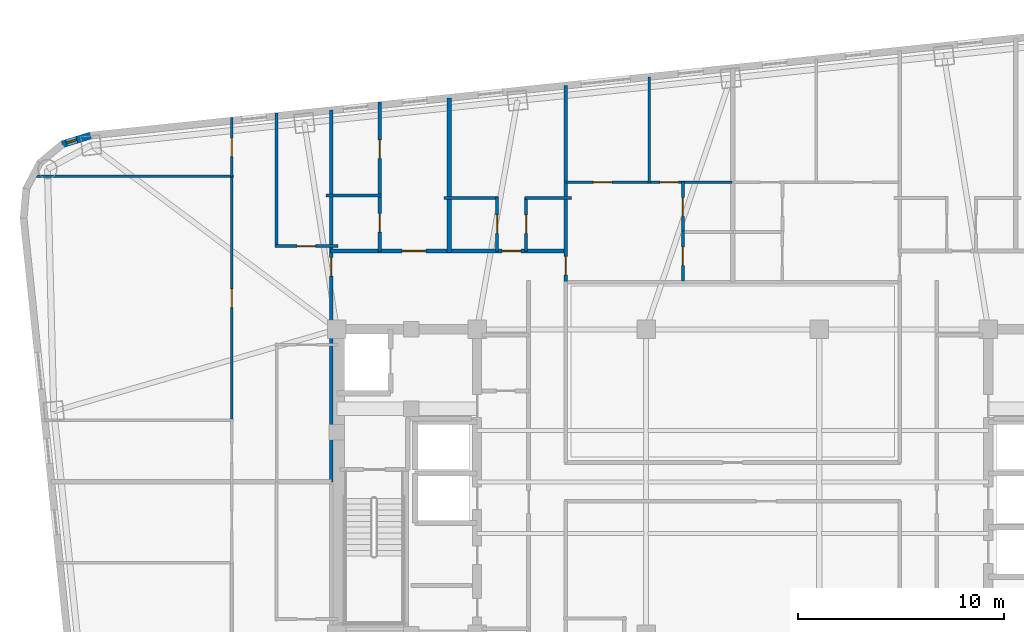
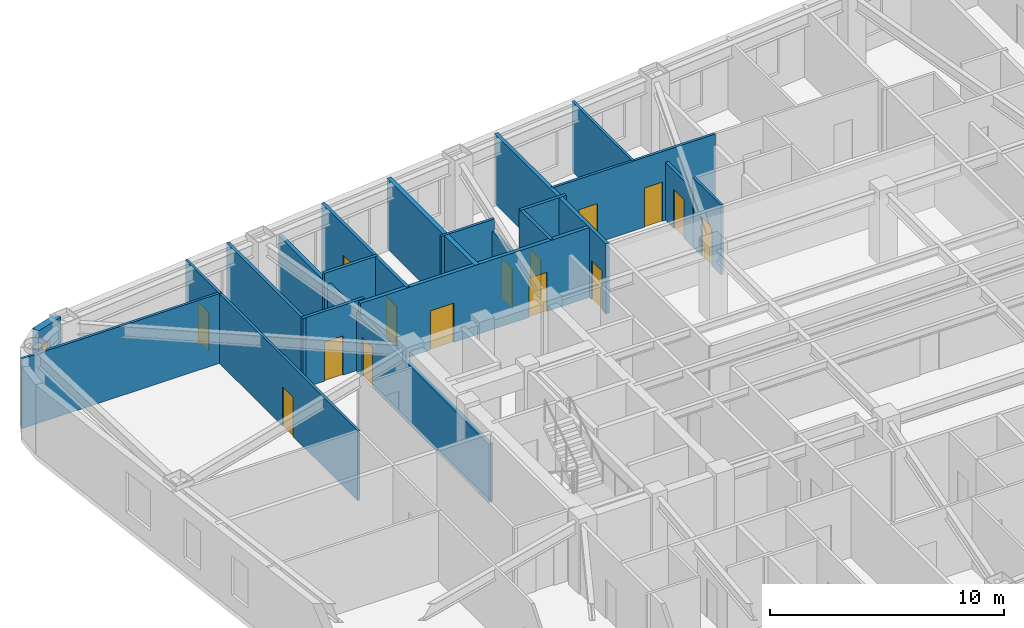
# One storey, part 7 of 11: 21 walls, 15 doors, 1 window, 16 openings.
"""IFC4 building model written with IfcOpenShell, lengths in metres."""

from ifc_helpers import new_model, si_unit, direction, frame, frame_2d, origin, place, context, subcontext, project, spatial, rectangle, extrude, material, layer, layer_set, type_object, element, fill, save


model = new_model("IFC4")

# Units and contexts
model_context = context("Model", 3, precision=1e-05, world=origin(), true_north=direction((0.0, 1.0)))
body_context = subcontext(model_context, "Body", "Model", "MODEL_VIEW")
ifc_project = project(units=[si_unit("LENGTHUNIT", "METRE"), si_unit("AREAUNIT", "SQUARE_METRE"), si_unit("VOLUMEUNIT", "CUBIC_METRE"), si_unit("PLANEANGLEUNIT", "RADIAN"), si_unit("MASSUNIT", "GRAM", prefix="KILO")], contexts=[model_context])

# Site, building, storey
site_placement = place(None, origin())
site = spatial("IfcSite", under=ifc_project, at=site_placement, CompositionType="ELEMENT")
building_placement = place(site_placement, origin())
building = spatial("IfcBuilding", under=site, at=building_placement, Name="Voryun Gate Residences", CompositionType="ELEMENT")
storey_placement = place(building_placement, frame((0.0, 0.0, 183.300048828125)))
storey = spatial("IfcBuildingStorey", under=building, at=storey_placement, Name="L45", CompositionType="ELEMENT", Elevation=183.300048828125)

# Wall, openings, doors
ifc_material_1 = material(Name="Gypsum acoustic fireboard")
ifc_layer_1 = layer(ifc_material_1, 0.179931640625, Name="W_CORR_RATED_180")
ifc_layer_set_1 = layer_set([ifc_layer_1], Name="Gypsum acoustic fireboard")
wall_type_1 = type_object("IfcWallType", Name="W_CORR_RATED_180", PredefinedType="PARTITIONING", material=ifc_layer_set_1)
wall_1_placement = place(storey_placement, frame((-19.5, 11.199951171875, 0.0), z_axis=(0.0, 0.0, 1.0), x_axis=(1.0, 0.0, 0.0)))
wall_1 = element("IfcWall", 1, at=wall_1_placement, inside=storey, type_object=wall_type_1, Name="Partition wall WP-L45-NCORR-W", PredefinedType="PARTITIONING", context=body_context, shape_type="SweptSolid", body=[
    extrude(rectangle(XDim=11.419921875, YDim=0.179931640625, at=frame_2d((5.7099609375, 0.0))), origin(), (0.0, 0.0, 1.0), 3.64990234375),
])
opening_1_placement = place(wall_1_placement, frame((3.46435546875, 0.0, 0.0)))
opening_1 = element("IfcOpeningElement", 2, at=opening_1_placement, cuts=wall_1, Name="Opening D-UNIT-1", PredefinedType="OPENING", context=body_context, shape_type="SweptSolid", body=[
    extrude(rectangle(XDim=1.14990234375, YDim=2.050048828125, at=frame_2d((0.574951171875, 1.02490234375))), frame((0.0, 0.099853515625, 0.0), z_axis=(0.0, -1.0, 0.0), x_axis=(1.0, 0.0, 0.0)), (0.0, 0.0, 1.0), 0.199951171875),
])
opening_2_placement = place(wall_1_placement, frame((8.32275390625, 0.0, 0.0)))
opening_2 = element("IfcOpeningElement", 3, at=opening_2_placement, cuts=wall_1, Name="Opening D-INT-2", PredefinedType="OPENING", context=body_context, shape_type="SweptSolid", body=[
    extrude(rectangle(XDim=0.89990234375, YDim=2.050048828125, at=frame_2d((0.449951171875, 1.02490234375))), frame((0.0, 0.099853515625, 0.0), z_axis=(0.0, -1.0, 0.0), x_axis=(1.0, 0.0, 0.0)), (0.0, 0.0, 1.0), 0.199951171875),
])
ifc_material_2 = material(Name="Architectural oak veneer")
door_type_1 = type_object("IfcDoorType", Name="DR_INT_BATH_900", OperationType="NOTDEFINED", PredefinedType="DOOR", material=ifc_material_2)
door_1_placement = place(opening_2_placement, origin())
door_1 = element("IfcDoor", 4, at=door_1_placement, inside=storey, type_object=door_type_1, Name="Door DR-L45-NENT-2", OperationType="SINGLE_SWING_RIGHT", OverallHeight=2.050048828125, OverallWidth=0.89990234375, PredefinedType="DOOR", context=body_context, shape_type="SweptSolid", body=[
    extrude(rectangle(XDim=0.89990234375, YDim=2.050048828125, at=frame_2d((0.449951171875, 1.02490234375))), frame((0.0, 0.02490234375, 0.0), z_axis=(0.0, -1.0, 0.0), x_axis=(1.0, 0.0, 0.0)), (0.0, 0.0, 1.0), 0.050048828125),
])
fill(opening_2, door_1)
ifc_material_3 = material(Name="Armoured timber-clad fire door", Category="wood")
door_type_2 = type_object("IfcDoorType", Name="DR_UNIT_ENTRY_1150", OperationType="NOTDEFINED", PredefinedType="DOOR", material=ifc_material_3)
door_2_placement = place(opening_1_placement, origin())
door_2 = element("IfcDoor", 5, at=door_2_placement, inside=storey, type_object=door_type_2, Name="Door DR-L45-NENT-1", OperationType="SINGLE_SWING_LEFT", OverallHeight=2.050048828125, OverallWidth=1.14990234375, PredefinedType="DOOR", context=body_context, shape_type="SweptSolid", body=[
    extrude(rectangle(XDim=1.14990234375, YDim=2.050048828125, at=frame_2d((0.574951171875, 1.02490234375))), frame((0.0, 0.02490234375, 0.0), z_axis=(0.0, -1.0, 0.0), x_axis=(1.0, 0.0, 0.0)), (0.0, 0.0, 1.0), 0.050048828125),
])
fill(opening_1, door_2)

# Wall, opening, door
wall_2_placement = place(storey_placement, frame((-8.10009765625, 9.68994140625, 0.0), z_axis=(0.0, 0.0, 1.0), x_axis=(0.0, 1.0, 0.0)))
wall_2 = element("IfcWall", 6, at=wall_2_placement, inside=storey, type_object=wall_type_1, Name="Partition wall WP-L45-NZV-1", PredefinedType="PARTITIONING", context=body_context, shape_type="SweptSolid", body=[
    extrude(rectangle(XDim=9.536376953125, YDim=0.179931640625, at=frame_2d((4.76806640625, 0.0))), origin(), (0.0, 0.0, 1.0), 3.64990234375),
])
opening_3_placement = place(wall_2_placement, frame((0.35009765625, 0.0, 0.0)))
opening_3 = element("IfcOpeningElement", 7, at=opening_3_placement, cuts=wall_2, Name="Opening D-INT-2", PredefinedType="OPENING", context=body_context, shape_type="SweptSolid", body=[
    extrude(rectangle(XDim=0.89990234375, YDim=2.050048828125, at=frame_2d((0.449951171875, 1.02490234375))), frame((0.0, 0.099853515625, 0.0), z_axis=(0.0, -1.0, 0.0), x_axis=(1.0, 0.0, 0.0)), (0.0, 0.0, 1.0), 0.199951171875),
])
door_3_placement = place(opening_3_placement, origin())
door_3 = element("IfcDoor", 8, at=door_3_placement, inside=storey, type_object=door_type_1, Name="Door DR-L45-NZENT-1", OperationType="SINGLE_SWING_LEFT", OverallHeight=2.050048828125, OverallWidth=0.89990234375, PredefinedType="DOOR", context=body_context, shape_type="SweptSolid", body=[
    extrude(rectangle(XDim=0.89990234375, YDim=2.050048828125, at=frame_2d((0.449951171875, 1.02490234375))), frame((0.0, 0.02490234375, 0.0), z_axis=(0.0, -1.0, 0.0), x_axis=(1.0, 0.0, 0.0)), (0.0, 0.0, 1.0), 0.050048828125),
])
fill(opening_3, door_3)

wall_3_placement = place(storey_placement, frame((-19.469970703125, 0.0, 0.0), z_axis=(0.0, 0.0, 1.0), x_axis=(0.0, 1.0, 0.0)))
wall_3 = element("IfcWall", 9, at=wall_3_placement, inside=storey, type_object=wall_type_1, Name="Partition wall WP-L45-WCOR2", PredefinedType="PARTITIONING", context=body_context, shape_type="SweptSolid", body=[
    extrude(rectangle(XDim=18.031494140625, YDim=0.179931640625, at=frame_2d((9.015625, 0.0))), origin(), (0.0, 0.0, 1.0), 3.0400390625),
])
opening_4_placement = place(wall_3_placement, frame((9.9794921875, 0.0, 0.0)))
opening_4 = element("IfcOpeningElement", 10, at=opening_4_placement, cuts=wall_3, Name="Opening D-INT-2", PredefinedType="OPENING", context=body_context, shape_type="SweptSolid", body=[
    extrude(rectangle(XDim=0.89990234375, YDim=2.050048828125, at=frame_2d((0.449951171875, 1.02490234375))), frame((0.0, 0.099853515625, 0.0), z_axis=(0.0, -1.0, 0.0), x_axis=(1.0, 0.0, 0.0)), (0.0, 0.0, 1.0), 0.199951171875),
])
door_4_placement = place(opening_4_placement, origin())
door_4 = element("IfcDoor", 11, at=door_4_placement, inside=storey, type_object=door_type_1, Name="Door DR-L45-WE2", OperationType="SINGLE_SWING_RIGHT", OverallHeight=2.050048828125, OverallWidth=0.89990234375, PredefinedType="DOOR", context=body_context, shape_type="SweptSolid", body=[
    extrude(rectangle(XDim=0.89990234375, YDim=2.050048828125, at=frame_2d((0.449951171875, 1.02490234375))), frame((0.0, 0.02490234375, 0.0), z_axis=(0.0, -1.0, 0.0), x_axis=(1.0, 0.0, 0.0)), (0.0, 0.0, 1.0), 0.050048828125),
])
fill(opening_4, door_4)

# Wall, opening, window
ifc_material_4 = material(Name="Charcoal terracotta masonry", Category="masonry")
ifc_layer_2 = layer(ifc_material_4, 0.340087890625, Name="W_EXT_TERRACOTTA_340")
ifc_layer_set_2 = layer_set([ifc_layer_2], Name="Charcoal terracotta masonry")
wall_type_2 = type_object("IfcWallType", Name="W_EXT_TERRACOTTA_340", PredefinedType="ELEMENTEDWALL", material=ifc_layer_set_2)
wall_4_placement = place(storey_placement, frame((-32.523193359375, 16.37841796875, 0.0), z_axis=(0.0, 0.0, 1.0), x_axis=(0.9549942197, 0.296624409546, 0.0)))
wall_4 = element("IfcWall", 12, at=wall_4_placement, inside=storey, type_object=wall_type_2, Name="Exterior wall WEXT-L45-10", PredefinedType="ELEMENTEDWALL", context=body_context, shape_type="SweptSolid", body=[
    extrude(rectangle(XDim=1.43212890625, YDim=0.340087890625, at=frame_2d((0.716064453125, 0.0))), origin(), (0.0, 0.0, 1.0), 3.64990234375),
])
opening_5_placement = place(wall_4_placement, frame((0.216064453125, 0.0, 0.75)))
opening_5 = element("IfcOpeningElement", 13, at=opening_5_placement, cuts=wall_4, Name="Opening WN10", PredefinedType="OPENING", context=body_context, shape_type="SweptSolid", body=[
    extrude(rectangle(XDim=0.52001953125, YDim=2.050048828125, at=frame_2d((0.260009765625, 1.02490234375))), frame((0.0, 0.179931640625, 0.0), z_axis=(0.0, -1.0, 0.0), x_axis=(1.0, 0.0, 0.0)), (0.0, 0.0, 1.0), 0.360107421875),
])
ifc_material_5 = material(Name="Laminated low-E glass", Category="glass")
window_type = type_object("IfcWindowType", Name="WN_PAGODA_LANCET_520", PartitioningType="SINGLE_PANEL", PredefinedType="WINDOW", material=ifc_material_5)
window_placement = place(opening_5_placement, origin())
window = element("IfcWindow", 14, at=window_placement, inside=storey, type_object=window_type, Name="Window WN-L45-DWFIX-24", OverallHeight=2.050048828125, OverallWidth=0.52001953125, PartitioningType="SINGLE_PANEL", PredefinedType="WINDOW", context=body_context, shape_type="SweptSolid", body=[
    extrude(rectangle(XDim=0.52001953125, YDim=2.050048828125, at=frame_2d((0.260009765625, 1.02490234375))), frame((0.0, 0.030029296875, 0.0), z_axis=(0.0, -1.0, 0.0), x_axis=(1.0, 0.0, 0.0)), (0.0, 0.0, 1.0), 0.06005859375),
])
fill(opening_5, window)

# Wall
ifc_material_6 = material(Name="Concrete C40/50", Category="concrete")
ifc_layer_3 = layer(ifc_material_6, 0.219970703125, Name="W_PARTY_ACOUSTIC_220")
ifc_layer_set_3 = layer_set([ifc_layer_3], Name="Concrete C40/50")
wall_type_3 = type_object("IfcWallType", Name="W_PARTY_ACOUSTIC_220", PredefinedType="PARTITIONING", material=ifc_layer_set_3)
wall_5_placement = place(storey_placement, frame((-13.739990234375, 11.1201171875, 0.0), z_axis=(0.0, 0.0, 1.0), x_axis=(0.0, 1.0, 0.0)))
element("IfcWall", 15, at=wall_5_placement, inside=storey, type_object=wall_type_3, Name="Partition wall WP-L45-NPTY-1", PredefinedType="PARTITIONING", context=body_context, shape_type="SweptSolid", body=[
    extrude(rectangle(XDim=7.513427734375, YDim=0.219970703125, at=frame_2d((3.7568359375, 0.0))), origin(), (0.0, 0.0, 1.0), 3.64990234375),
])

# Wall, opening, door
ifc_material_7 = material(Name="Gypsum acoustic partition")
ifc_layer_4 = layer(ifc_material_7, 0.125, Name="W_UNIT_PART_125")
ifc_layer_set_4 = layer_set([ifc_layer_4], Name="Gypsum acoustic partition")
wall_type_4 = type_object("IfcWallType", Name="W_UNIT_PART_125", PredefinedType="PARTITIONING", material=ifc_layer_set_4)
wall_6_placement = place(storey_placement, frame((-11.429931640625, 11.179931640625, 0.0), z_axis=(0.0, 0.0, 1.0), x_axis=(0.0, 1.0, 0.0)))
wall_6 = element("IfcWall", 16, at=wall_6_placement, inside=storey, type_object=wall_type_4, Name="Partition wall WP-L45-N2-CVK", PredefinedType="PARTITIONING", context=body_context, shape_type="SweptSolid", body=[
    extrude(rectangle(XDim=2.650146484375, YDim=0.125, at=frame_2d((1.3251953125, 0.0))), origin(), (0.0, 0.0, 1.0), 3.0400390625),
])
opening_6_placement = place(wall_6_placement, frame((0.875, 0.0, 0.0)))
opening_6 = element("IfcOpeningElement", 17, at=opening_6_placement, cuts=wall_6, Name="Opening D-INT-2", PredefinedType="OPENING", context=body_context, shape_type="SweptSolid", body=[
    extrude(rectangle(XDim=0.89990234375, YDim=2.050048828125, at=frame_2d((0.449951171875, 1.02490234375))), frame((0.0, 0.072509765625, 0.0), z_axis=(0.0, -1.0, 0.0), x_axis=(1.0, 0.0, 0.0)), (0.0, 0.0, 1.0), 0.14501953125),
])
door_5_placement = place(opening_6_placement, origin())
door_5 = element("IfcDoor", 18, at=door_5_placement, inside=storey, type_object=door_type_1, Name="Door DR-L45-N2-DK", OperationType="SINGLE_SWING_LEFT", OverallHeight=2.050048828125, OverallWidth=0.89990234375, PredefinedType="DOOR", context=body_context, shape_type="SweptSolid", body=[
    extrude(rectangle(XDim=0.89990234375, YDim=2.050048828125, at=frame_2d((0.449951171875, 1.02490234375))), frame((0.0, 0.02490234375, 0.0), z_axis=(0.0, -1.0, 0.0), x_axis=(1.0, 0.0, 0.0)), (0.0, 0.0, 1.0), 0.050048828125),
])
fill(opening_6, door_5)

# Wall
wall_7_placement = place(storey_placement, frame((-14.0, 13.77001953125, 0.0), z_axis=(0.0, 0.0, 1.0), x_axis=(1.0, 0.0, 0.0)))
element("IfcWall", 19, at=wall_7_placement, inside=storey, type_object=wall_type_4, Name="Partition wall WP-L45-N2-CHK", PredefinedType="PARTITIONING", context=body_context, shape_type="SweptSolid", body=[
    extrude(rectangle(XDim=2.6298828125, YDim=0.125, at=frame_2d((1.31494140625, 0.0))), origin(), (0.0, 0.0, 1.0), 3.64990234375),
])

# Wall, openings, doors
wall_8_placement = place(storey_placement, frame((-8.080078125, 14.530029296875, 0.0), z_axis=(0.0, 0.0, 1.0), x_axis=(1.0, 0.0, 0.0)))
wall_8 = element("IfcWall", 20, at=wall_8_placement, inside=storey, type_object=wall_type_4, Name="Partition wall WP-L45-NC1-HZ", PredefinedType="PARTITIONING", context=body_context, shape_type="SweptSolid", body=[
    extrude(rectangle(XDim=8.06005859375, YDim=0.125, at=frame_2d((4.030029296875, 0.0))), origin(), (0.0, 0.0, 1.0), 3.64990234375),
])
opening_7_placement = place(wall_8_placement, frame((1.3232421875, 0.0, 0.0)))
opening_7 = element("IfcOpeningElement", 21, at=opening_7_placement, cuts=wall_8, Name="Opening D-INT-2", PredefinedType="OPENING", context=body_context, shape_type="SweptSolid", body=[
    extrude(rectangle(XDim=0.89990234375, YDim=2.050048828125, at=frame_2d((0.449951171875, 1.02490234375))), frame((0.0, 0.072509765625, 0.0), z_axis=(0.0, -1.0, 0.0), x_axis=(1.0, 0.0, 0.0)), (0.0, 0.0, 1.0), 0.14501953125),
])
opening_8_placement = place(wall_8_placement, frame((4.547119140625, 0.0, 0.0)))
opening_8 = element("IfcOpeningElement", 22, at=opening_8_placement, cuts=wall_8, Name="Opening D-INT-2", PredefinedType="OPENING", context=body_context, shape_type="SweptSolid", body=[
    extrude(rectangle(XDim=0.89990234375, YDim=2.050048828125, at=frame_2d((0.449951171875, 1.02490234375))), frame((0.0, 0.072509765625, 0.0), z_axis=(0.0, -1.0, 0.0), x_axis=(1.0, 0.0, 0.0)), (0.0, 0.0, 1.0), 0.14501953125),
])
door_6_placement = place(opening_7_placement, origin())
door_6 = element("IfcDoor", 23, at=door_6_placement, inside=storey, type_object=door_type_1, Name="Door DR-L45-NC1-DMB", OperationType="SINGLE_SWING_LEFT", OverallHeight=2.050048828125, OverallWidth=0.89990234375, PredefinedType="DOOR", context=body_context, shape_type="SweptSolid", body=[
    extrude(rectangle(XDim=0.89990234375, YDim=2.050048828125, at=frame_2d((0.449951171875, 1.02490234375))), frame((0.0, 0.02490234375, 0.0), z_axis=(0.0, -1.0, 0.0), x_axis=(1.0, 0.0, 0.0)), (0.0, 0.0, 1.0), 0.050048828125),
])
fill(opening_7, door_6)
door_7_placement = place(opening_8_placement, origin())
door_7 = element("IfcDoor", 24, at=door_7_placement, inside=storey, type_object=door_type_1, Name="Door DR-L45-NC1-DBD2", OperationType="SINGLE_SWING_RIGHT", OverallHeight=2.050048828125, OverallWidth=0.89990234375, PredefinedType="DOOR", context=body_context, shape_type="SweptSolid", body=[
    extrude(rectangle(XDim=0.89990234375, YDim=2.050048828125, at=frame_2d((0.449951171875, 1.02490234375))), frame((0.0, 0.02490234375, 0.0), z_axis=(0.0, -1.0, 0.0), x_axis=(1.0, 0.0, 0.0)), (0.0, 0.0, 1.0), 0.050048828125),
])
fill(opening_8, door_7)

# Wall, opening, door
wall_9_placement = place(storey_placement, frame((-2.409912109375, 9.75, 0.0), z_axis=(0.0, 0.0, 1.0), x_axis=(0.0, 1.0, 0.0)))
wall_9 = element("IfcWall", 25, at=wall_9_placement, inside=storey, type_object=wall_type_4, Name="Partition wall WP-L45-NC1-VK1", PredefinedType="PARTITIONING", context=body_context, shape_type="SweptSolid", body=[
    extrude(rectangle(XDim=2.409912109375, YDim=0.125, at=frame_2d((1.205078125, 0.0))), origin(), (0.0, 0.0, 1.0), 3.64990234375),
])
opening_9_placement = place(wall_9_placement, frame((0.7548828125, 0.0, 0.0)))
opening_9 = element("IfcOpeningElement", 26, at=opening_9_placement, cuts=wall_9, Name="Opening D-INT-2", PredefinedType="OPENING", context=body_context, shape_type="SweptSolid", body=[
    extrude(rectangle(XDim=0.89990234375, YDim=2.050048828125, at=frame_2d((0.449951171875, 1.02490234375))), frame((0.0, 0.072509765625, 0.0), z_axis=(0.0, -1.0, 0.0), x_axis=(1.0, 0.0, 0.0)), (0.0, 0.0, 1.0), 0.14501953125),
])
door_8_placement = place(opening_9_placement, origin())
door_8 = element("IfcDoor", 27, at=door_8_placement, inside=storey, type_object=door_type_1, Name="Door DR-L45-NC1-DK", OperationType="SINGLE_SWING_LEFT", OverallHeight=2.050048828125, OverallWidth=0.89990234375, PredefinedType="DOOR", context=body_context, shape_type="SweptSolid", body=[
    extrude(rectangle(XDim=0.89990234375, YDim=2.050048828125, at=frame_2d((0.449951171875, 1.02490234375))), frame((0.0, 0.02490234375, 0.0), z_axis=(0.0, -1.0, 0.0), x_axis=(1.0, 0.0, 0.0)), (0.0, 0.0, 1.0), 0.050048828125),
])
fill(opening_9, door_8)

# Walls
wall_10_placement = place(storey_placement, frame((-4.050048828125, 14.489990234375, 0.0), z_axis=(0.0, 0.0, 1.0), x_axis=(0.0, 1.0, 0.0)))
element("IfcWall", 28, at=wall_10_placement, inside=storey, type_object=wall_type_4, Name="Partition wall WP-L45-NC1-VBD", PredefinedType="PARTITIONING", context=body_context, shape_type="SweptSolid", body=[
    extrude(rectangle(XDim=5.162109375, YDim=0.125, at=frame_2d((2.5810546875, 0.0))), origin(), (0.0, 0.0, 1.0), 3.64990234375),
])
wall_11_placement = place(storey_placement, frame((-34.1171875, 14.833984375, 0.0), z_axis=(0.0, 0.0, 1.0), x_axis=(1.0, 0.0, 0.0)))
element("IfcWall", 29, at=wall_11_placement, inside=storey, type_object=wall_type_4, Name="Partition wall WP-L45-W2-OH2", PredefinedType="PARTITIONING", context=body_context, shape_type="SweptSolid", body=[
    extrude(rectangle(XDim=9.897216796875, YDim=0.125, at=frame_2d((4.94873046875, 0.0))), origin(), (0.0, 0.0, 1.0), 3.64990234375),
])

# Wall, opening, door
wall_12_placement = place(storey_placement, frame((-24.300048828125, 2.928955078125, 0.0), z_axis=(0.0, 0.0, 1.0), x_axis=(0.0, 1.0, 0.0)))
wall_12 = element("IfcWall", 30, at=wall_12_placement, inside=storey, type_object=wall_type_4, Name="Partition wall WP-L45-W2-OVX2", PredefinedType="PARTITIONING", context=body_context, shape_type="SweptSolid", body=[
    extrude(rectangle(XDim=11.955078125, YDim=0.125, at=frame_2d((5.9775390625, 0.0))), origin(), (0.0, 0.0, 1.0), 3.64990234375),
])
opening_10_placement = place(wall_12_placement, frame((5.527587890625, 0.0, 0.0)))
opening_10 = element("IfcOpeningElement", 31, at=opening_10_placement, cuts=wall_12, Name="Opening D-INT-2", PredefinedType="OPENING", context=body_context, shape_type="SweptSolid", body=[
    extrude(rectangle(XDim=0.89990234375, YDim=2.050048828125, at=frame_2d((0.449951171875, 1.02490234375))), frame((0.0, 0.072509765625, 0.0), z_axis=(0.0, -1.0, 0.0), x_axis=(1.0, 0.0, 0.0)), (0.0, 0.0, 1.0), 0.14501953125),
])
door_9_placement = place(opening_10_placement, origin())
door_9 = element("IfcDoor", 32, at=door_9_placement, inside=storey, type_object=door_type_1, Name="Door DR-L45-W2-DSTD", OperationType="SINGLE_SWING_RIGHT", OverallHeight=2.050048828125, OverallWidth=0.89990234375, PredefinedType="DOOR", context=body_context, shape_type="SweptSolid", body=[
    extrude(rectangle(XDim=0.89990234375, YDim=2.050048828125, at=frame_2d((0.449951171875, 1.02490234375))), frame((0.0, 0.02490234375, 0.0), z_axis=(0.0, -1.0, 0.0), x_axis=(1.0, 0.0, 0.0)), (0.0, 0.0, 1.0), 0.050048828125),
])
fill(opening_10, door_9)

wall_13_placement = place(storey_placement, frame((-24.300048828125, 14.783935546875, 0.0), z_axis=(0.0, 0.0, 1.0), x_axis=(0.0, 1.0, 0.0)))
wall_13 = element("IfcWall", 33, at=wall_13_placement, inside=storey, type_object=wall_type_4, Name="Partition wall WP-L45-W2-OVX3", PredefinedType="PARTITIONING", context=body_context, shape_type="SweptSolid", body=[
    extrude(rectangle(XDim=2.890625, YDim=0.125, at=frame_2d((1.4453125, 0.0))), origin(), (0.0, 0.0, 1.0), 3.64990234375),
])
opening_11_placement = place(wall_13_placement, frame((0.995361328125, 0.0, 0.0)))
opening_11 = element("IfcOpeningElement", 34, at=opening_11_placement, cuts=wall_13, Name="Opening D-INT-2", PredefinedType="OPENING", context=body_context, shape_type="SweptSolid", body=[
    extrude(rectangle(XDim=0.89990234375, YDim=2.050048828125, at=frame_2d((0.449951171875, 1.02490234375))), frame((0.0, 0.072509765625, 0.0), z_axis=(0.0, -1.0, 0.0), x_axis=(1.0, 0.0, 0.0)), (0.0, 0.0, 1.0), 0.14501953125),
])
door_10_placement = place(opening_11_placement, origin())
door_10 = element("IfcDoor", 35, at=door_10_placement, inside=storey, type_object=door_type_1, Name="Door DR-L45-W2-DMB", OperationType="SINGLE_SWING_LEFT", OverallHeight=2.050048828125, OverallWidth=0.89990234375, PredefinedType="DOOR", context=body_context, shape_type="SweptSolid", body=[
    extrude(rectangle(XDim=0.89990234375, YDim=2.050048828125, at=frame_2d((0.449951171875, 1.02490234375))), frame((0.0, 0.02490234375, 0.0), z_axis=(0.0, -1.0, 0.0), x_axis=(1.0, 0.0, 0.0)), (0.0, 0.0, 1.0), 0.050048828125),
])
fill(opening_11, door_10)

# Wall
ifc_material_8 = material(Name="Gypsum moisture-resistant partition")
ifc_layer_5 = layer(ifc_material_8, 0.14990234375, Name="W_WET_PLUMB_150")
ifc_layer_set_5 = layer_set([ifc_layer_5], Name="Gypsum moisture-resistant partition")
wall_type_5 = type_object("IfcWallType", Name="W_WET_PLUMB_150", PredefinedType="PLUMBINGWALL", material=ifc_layer_set_5)
wall_14_placement = place(storey_placement, frame((-19.719970703125, 13.89990234375, 0.0), z_axis=(0.0, 0.0, 1.0), x_axis=(1.0, 0.0, 0.0)))
element("IfcWall", 36, at=wall_14_placement, inside=storey, type_object=wall_type_5, Name="Partition wall WP-L45-N1-SKB", PredefinedType="PLUMBINGWALL", context=body_context, shape_type="SweptSolid", body=[
    extrude(rectangle(XDim=2.678955078125, YDim=0.14990234375, at=frame_2d((1.33935546875, 0.0))), origin(), (0.0, 0.0, 1.0), 3.64990234375),
])

# Wall, opening, door
wall_15_placement = place(storey_placement, frame((-17.12109375, 11.179931640625, 0.0), z_axis=(0.0, 0.0, 1.0), x_axis=(0.0, 1.0, 0.0)))
wall_15 = element("IfcWall", 37, at=wall_15_placement, inside=storey, type_object=wall_type_5, Name="Partition wall WP-L45-N1-SVT1", PredefinedType="PLUMBINGWALL", context=body_context, shape_type="SweptSolid", body=[
    extrude(rectangle(XDim=2.760009765625, YDim=0.14990234375, at=frame_2d((1.3798828125, 0.0))), origin(), (0.0, 0.0, 1.0), 3.64990234375),
])
opening_12_placement = place(wall_15_placement, frame((0.929931640625, 0.0, 0.0)))
opening_12 = element("IfcOpeningElement", 38, at=opening_12_placement, cuts=wall_15, Name="Opening D-INT-2", PredefinedType="OPENING", context=body_context, shape_type="SweptSolid", body=[
    extrude(rectangle(XDim=0.89990234375, YDim=2.050048828125, at=frame_2d((0.449951171875, 1.02490234375))), frame((0.0, 0.0849609375, 0.0), z_axis=(0.0, -1.0, 0.0), x_axis=(1.0, 0.0, 0.0)), (0.0, 0.0, 1.0), 0.169921875),
])
door_11_placement = place(opening_12_placement, origin())
door_11 = element("IfcDoor", 39, at=door_11_placement, inside=storey, type_object=door_type_1, Name="Door DR-L45-N1-DB", OperationType="SINGLE_SWING_LEFT", OverallHeight=2.050048828125, OverallWidth=0.89990234375, PredefinedType="DOOR", context=body_context, shape_type="SweptSolid", body=[
    extrude(rectangle(XDim=0.89990234375, YDim=2.050048828125, at=frame_2d((0.449951171875, 1.02490234375))), frame((0.0, 0.02490234375, 0.0), z_axis=(0.0, -1.0, 0.0), x_axis=(1.0, 0.0, 0.0)), (0.0, 0.0, 1.0), 0.050048828125),
])
fill(opening_12, door_11)

wall_16_placement = place(storey_placement, frame((-17.12109375, 13.860107421875, 0.0), z_axis=(0.0, 0.0, 1.0), x_axis=(0.0, 1.0, 0.0)))
wall_16 = element("IfcWall", 40, at=wall_16_placement, inside=storey, type_object=wall_type_5, Name="Partition wall WP-L45-N1-SVT2", PredefinedType="PLUMBINGWALL", context=body_context, shape_type="SweptSolid", body=[
    extrude(rectangle(XDim=4.569091796875, YDim=0.14990234375, at=frame_2d((2.28466796875, 0.0))), origin(), (0.0, 0.0, 1.0), 3.64990234375),
])
opening_13_placement = place(wall_16_placement, frame((1.83447265625, 0.0, 0.0)))
opening_13 = element("IfcOpeningElement", 41, at=opening_13_placement, cuts=wall_16, Name="Opening D-INT-2", PredefinedType="OPENING", context=body_context, shape_type="SweptSolid", body=[
    extrude(rectangle(XDim=0.89990234375, YDim=2.050048828125, at=frame_2d((0.449951171875, 1.02490234375))), frame((0.0, 0.0849609375, 0.0), z_axis=(0.0, -1.0, 0.0), x_axis=(1.0, 0.0, 0.0)), (0.0, 0.0, 1.0), 0.169921875),
])
door_12_placement = place(opening_13_placement, origin())
door_12 = element("IfcDoor", 42, at=door_12_placement, inside=storey, type_object=door_type_1, Name="Door DR-L45-N1-DK", OperationType="SINGLE_SWING_RIGHT", OverallHeight=2.050048828125, OverallWidth=0.89990234375, PredefinedType="DOOR", context=body_context, shape_type="SweptSolid", body=[
    extrude(rectangle(XDim=0.89990234375, YDim=2.050048828125, at=frame_2d((0.449951171875, 1.02490234375))), frame((0.0, 0.02490234375, 0.0), z_axis=(0.0, -1.0, 0.0), x_axis=(1.0, 0.0, 0.0)), (0.0, 0.0, 1.0), 0.050048828125),
])
fill(opening_13, door_12)

wall_17_placement = place(storey_placement, frame((-10.02392578125, 11.179931640625, 0.0), z_axis=(0.0, 0.0, 1.0), x_axis=(0.0, 1.0, 0.0)))
wall_17 = element("IfcWall", 43, at=wall_17_placement, inside=storey, type_object=wall_type_5, Name="Partition wall WP-L45-N2-CVB", PredefinedType="PLUMBINGWALL", context=body_context, shape_type="SweptSolid", body=[
    extrude(rectangle(XDim=2.650146484375, YDim=0.14990234375, at=frame_2d((1.3251953125, 0.0))), origin(), (0.0, 0.0, 1.0), 3.64990234375),
])
opening_14_placement = place(wall_17_placement, frame((0.875, 0.0, 0.0)))
opening_14 = element("IfcOpeningElement", 44, at=opening_14_placement, cuts=wall_17, Name="Opening D-INT-2", PredefinedType="OPENING", context=body_context, shape_type="SweptSolid", body=[
    extrude(rectangle(XDim=0.89990234375, YDim=2.050048828125, at=frame_2d((0.449951171875, 1.02490234375))), frame((0.0, 0.0849609375, 0.0), z_axis=(0.0, -1.0, 0.0), x_axis=(1.0, 0.0, 0.0)), (0.0, 0.0, 1.0), 0.169921875),
])
door_13_placement = place(opening_14_placement, origin())
door_13 = element("IfcDoor", 45, at=door_13_placement, inside=storey, type_object=door_type_1, Name="Door DR-L45-N2-DB", OperationType="SINGLE_SWING_RIGHT", OverallHeight=2.050048828125, OverallWidth=0.89990234375, PredefinedType="DOOR", context=body_context, shape_type="SweptSolid", body=[
    extrude(rectangle(XDim=0.89990234375, YDim=2.050048828125, at=frame_2d((0.449951171875, 1.02490234375))), frame((0.0, 0.02490234375, 0.0), z_axis=(0.0, -1.0, 0.0), x_axis=(1.0, 0.0, 0.0)), (0.0, 0.0, 1.0), 0.050048828125),
])
fill(opening_14, door_13)

# Wall
wall_18_placement = place(storey_placement, frame((-10.083984375, 13.77001953125, 0.0), z_axis=(0.0, 0.0, 1.0), x_axis=(1.0, 0.0, 0.0)))
element("IfcWall", 46, at=wall_18_placement, inside=storey, type_object=wall_type_5, Name="Partition wall WP-L45-N2-CHB", PredefinedType="PLUMBINGWALL", context=body_context, shape_type="SweptSolid", body=[
    extrude(rectangle(XDim=2.263916015625, YDim=0.14990234375, at=frame_2d((1.1318359375, 0.0))), origin(), (0.0, 0.0, 1.0), 3.64990234375),
])

# Wall, opening, door
wall_19_placement = place(storey_placement, frame((-2.409912109375, 12.10009765625, 0.0), z_axis=(0.0, 0.0, 1.0), x_axis=(0.0, 1.0, 0.0)))
wall_19 = element("IfcWall", 47, at=wall_19_placement, inside=storey, type_object=wall_type_5, Name="Partition wall WP-L45-NC1-VK2", PredefinedType="PLUMBINGWALL", context=body_context, shape_type="SweptSolid", body=[
    extrude(rectangle(XDim=2.469970703125, YDim=0.14990234375, at=frame_2d((1.23486328125, 0.0))), origin(), (0.0, 0.0, 1.0), 3.0400390625),
])
opening_15_placement = place(wall_19_placement, frame((0.784912109375, 0.0, 0.0)))
opening_15 = element("IfcOpeningElement", 48, at=opening_15_placement, cuts=wall_19, Name="Opening D-INT-2", PredefinedType="OPENING", context=body_context, shape_type="SweptSolid", body=[
    extrude(rectangle(XDim=0.89990234375, YDim=2.050048828125, at=frame_2d((0.449951171875, 1.02490234375))), frame((0.0, 0.0849609375, 0.0), z_axis=(0.0, -1.0, 0.0), x_axis=(1.0, 0.0, 0.0)), (0.0, 0.0, 1.0), 0.169921875),
])
door_14_placement = place(opening_15_placement, origin())
door_14 = element("IfcDoor", 49, at=door_14_placement, inside=storey, type_object=door_type_1, Name="Door DR-L45-NC1-DB", OperationType="SINGLE_SWING_RIGHT", OverallHeight=2.050048828125, OverallWidth=0.89990234375, PredefinedType="DOOR", context=body_context, shape_type="SweptSolid", body=[
    extrude(rectangle(XDim=0.89990234375, YDim=2.050048828125, at=frame_2d((0.449951171875, 1.02490234375))), frame((0.0, 0.02490234375, 0.0), z_axis=(0.0, -1.0, 0.0), x_axis=(1.0, 0.0, 0.0)), (0.0, 0.0, 1.0), 0.050048828125),
])
fill(opening_15, door_14)

wall_20_placement = place(storey_placement, frame((-22.199951171875, 11.43798828125, 0.0), z_axis=(0.0, 0.0, 1.0), x_axis=(1.0, 0.0, 0.0)))
wall_20 = element("IfcWall", 50, at=wall_20_placement, inside=storey, type_object=wall_type_5, Name="Partition wall WP-L45-W2-IBB", PredefinedType="PLUMBINGWALL", context=body_context, shape_type="SweptSolid", body=[
    extrude(rectangle(XDim=3.050048828125, YDim=0.14990234375, at=frame_2d((1.52490234375, 0.0))), origin(), (0.0, 0.0, 1.0), 3.64990234375),
])
opening_16_placement = place(wall_20_placement, frame((1.074951171875, 0.0, 0.0)))
opening_16 = element("IfcOpeningElement", 51, at=opening_16_placement, cuts=wall_20, Name="Opening D-INT-2", PredefinedType="OPENING", context=body_context, shape_type="SweptSolid", body=[
    extrude(rectangle(XDim=0.89990234375, YDim=2.050048828125, at=frame_2d((0.449951171875, 1.02490234375))), frame((0.0, 0.0849609375, 0.0), z_axis=(0.0, -1.0, 0.0), x_axis=(1.0, 0.0, 0.0)), (0.0, 0.0, 1.0), 0.169921875),
])
door_15_placement = place(opening_16_placement, origin())
door_15 = element("IfcDoor", 52, at=door_15_placement, inside=storey, type_object=door_type_1, Name="Door DR-L45-W2-DB", OperationType="SINGLE_SWING_RIGHT", OverallHeight=2.050048828125, OverallWidth=0.89990234375, PredefinedType="DOOR", context=body_context, shape_type="SweptSolid", body=[
    extrude(rectangle(XDim=0.89990234375, YDim=2.050048828125, at=frame_2d((0.449951171875, 1.02490234375))), frame((0.0, 0.02490234375, 0.0), z_axis=(0.0, -1.0, 0.0), x_axis=(1.0, 0.0, 0.0)), (0.0, 0.0, 1.0), 0.050048828125),
])
fill(opening_16, door_15)

# Wall
wall_21_placement = place(storey_placement, frame((-22.1201171875, 11.35791015625, 0.0), z_axis=(0.0, 0.0, 1.0), x_axis=(0.0, 1.0, 0.0)))
element("IfcWall", 53, at=wall_21_placement, inside=storey, type_object=wall_type_5, Name="Partition wall WP-L45-W2-VTB", PredefinedType="PLUMBINGWALL", context=body_context, shape_type="SweptSolid", body=[
    extrude(rectangle(XDim=6.5458984375, YDim=0.14990234375, at=frame_2d((3.27294921875, 0.0))), origin(), (0.0, 0.0, 1.0), 3.64990234375),
])

save(model, "model.ifc")
